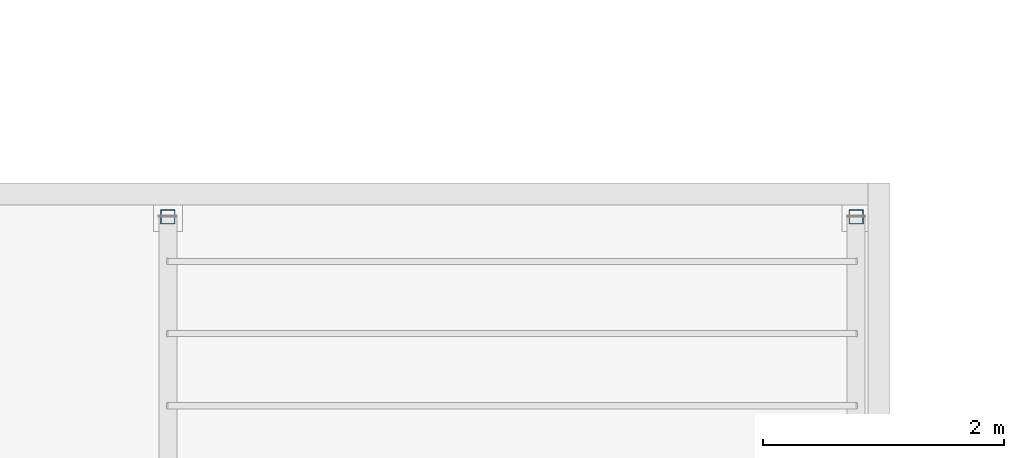
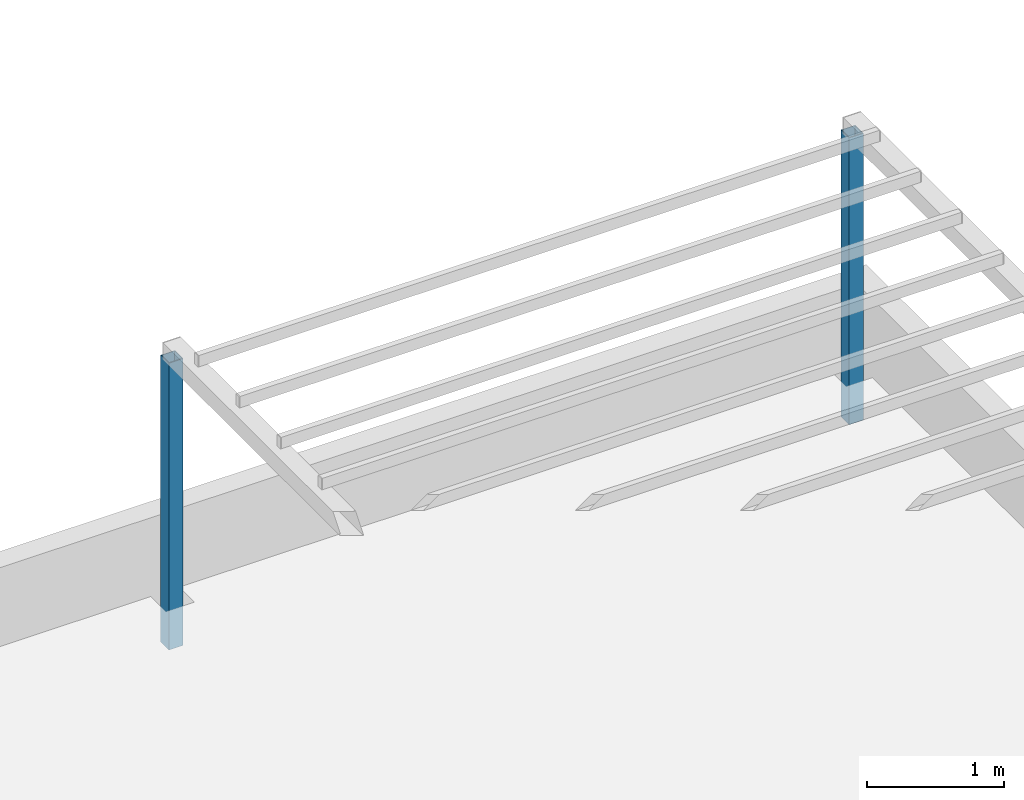
# One storey, part 2 of 51: 2 columns.
"""IFC4 building model written with IfcOpenShell, lengths in metres."""

from ifc_helpers import new_model, si_unit, direction, frame, origin, origin_2d, place, context, subcontext, project, spatial, hollow_rectangle, extrude, material, material_profile, profile_set, type_object, element, save


model = new_model("IFC4")

# Units and contexts
model_context = context("Model", 3, precision=1e-05, world=origin(), true_north=direction((0.0, 1.0)))
body_context = subcontext(model_context, "Body", "Model", "MODEL_VIEW")
ifc_project = project(units=[si_unit("LENGTHUNIT", "METRE"), si_unit("AREAUNIT", "SQUARE_METRE"), si_unit("VOLUMEUNIT", "CUBIC_METRE"), si_unit("PLANEANGLEUNIT", "RADIAN"), si_unit("MASSUNIT", "GRAM", prefix="KILO")], contexts=[model_context])

# Site, building, storey
site_placement = place(None, origin())
site = spatial("IfcSite", under=ifc_project, at=site_placement, CompositionType="ELEMENT")
building_placement = place(site_placement, origin())
building = spatial("IfcBuilding", under=site, at=building_placement, Name="Laocheng Heights Fire and Rescue Headquarters", CompositionType="ELEMENT")
storey_placement = place(building_placement, frame((0.0, 0.0, 21.0)))
storey = spatial("IfcBuildingStorey", under=building, at=storey_placement, Name="L05", CompositionType="ELEMENT", Elevation=21.0)

# Columns
ifc_material = material(Name="Steel Q355B", Category="steel")
ifc_material_profile = material_profile(ifc_material, hollow_rectangle(XDim=0.1201171875, YDim=0.1201171875, WallThickness=0.006103515625, at=origin_2d()), Name="RHS 120x120x6")
ifc_profile_set = profile_set([ifc_material_profile], Name="Steel Q355B")
column_type = type_object("IfcColumnType", Name="STEEL TRELLIS POST RHS 120x120x6", PredefinedType="COLUMN", material=ifc_profile_set)
for number, where, z_axis, x_axis, name in (
    (1, (102.0, 57.320068359375, 0.0), (0.0, 0.0, 1.0), (1.0, 0.0, 0.0), "Trellis crew garden post"),
    (2, (107.719970703125, 57.320068359375, 0.0), (0.0, 0.0, 1.0), (1.0, 0.0, 0.0), "Trellis crew garden post"),
):
    element("IfcColumn", number, at=place(storey_placement, frame(where, z_axis=z_axis, x_axis=x_axis)), inside=storey, type_object=column_type, Name=name, PredefinedType="COLUMN", context=body_context, shape_type="SweptSolid", body=[
        extrude(hollow_rectangle(XDim=0.1201171875, YDim=0.1201171875, WallThickness=0.006103515625, at=origin_2d()), origin(), (0.0, 0.0, 1.0), 2.550048828125),
    ])

save(model, "model.ifc")
